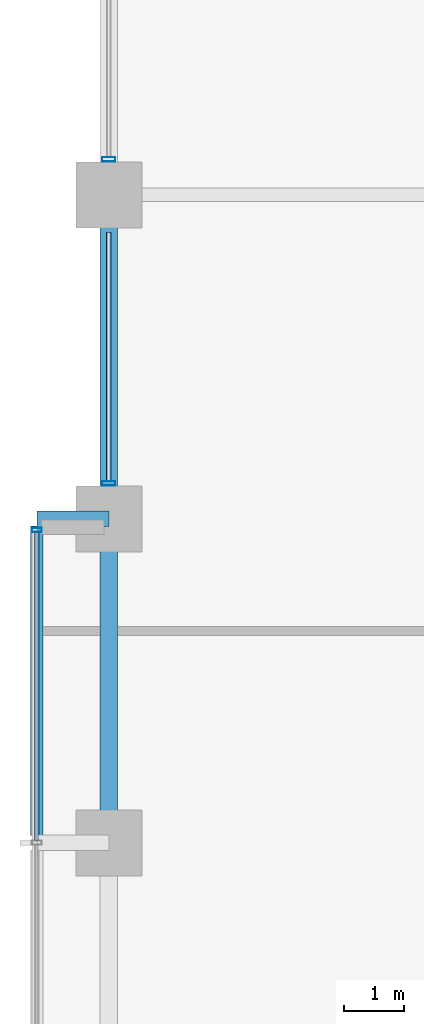
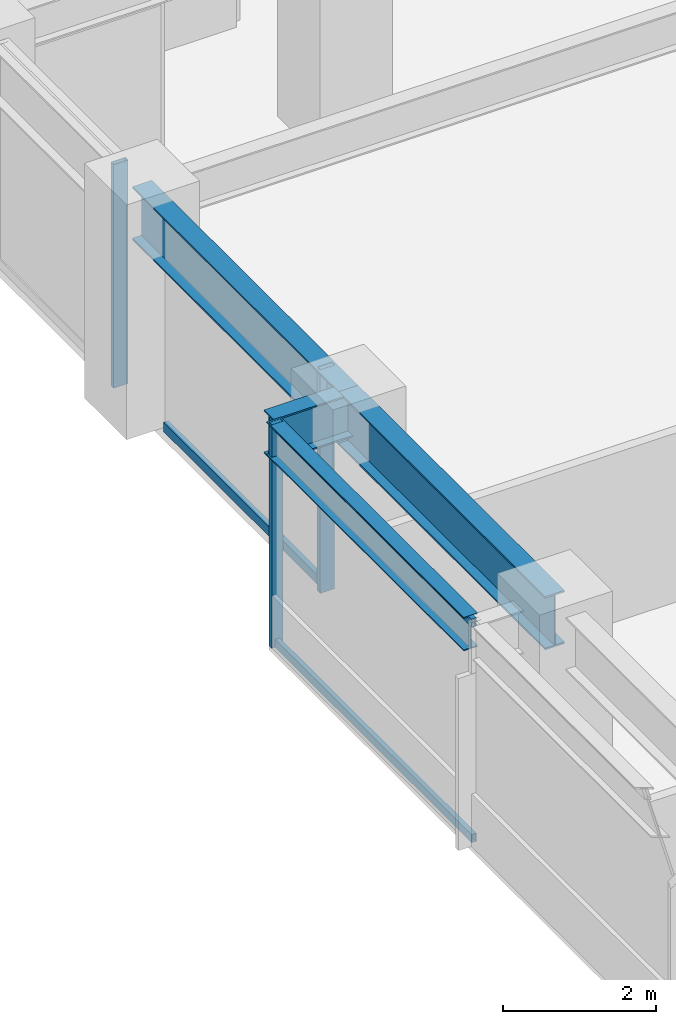
# One storey, part 10 of 25: 6 members, 4 beams, 2 elements without a shape of their own.
"""IFC4 building model written with IfcOpenShell, lengths in metres."""

from ifc_helpers import new_model, si_unit, direction, frame, origin, origin_2d, place, context, subcontext, project, spatial, hollow_rectangle, i_section, extrude, material, layer, layer_set, material_profile, profile_set, type_object, element, aggregate, save


model = new_model("IFC4")

# Units and contexts
model_context = context("Model", 3, precision=1e-05, world=origin(), true_north=direction((0.0, 1.0)))
body_context = subcontext(model_context, "Body", "Model", "MODEL_VIEW")
ifc_project = project(units=[si_unit("LENGTHUNIT", "METRE"), si_unit("AREAUNIT", "SQUARE_METRE"), si_unit("VOLUMEUNIT", "CUBIC_METRE"), si_unit("PLANEANGLEUNIT", "RADIAN"), si_unit("MASSUNIT", "GRAM", prefix="KILO")], contexts=[model_context])

# Site, building, storey
site_placement = place(None, origin())
site = spatial("IfcSite", under=ifc_project, at=site_placement, CompositionType="ELEMENT")
building_placement = place(site_placement, origin())
building = spatial("IfcBuilding", under=site, at=building_placement, Name="Surkhivell Harbour Commons", CompositionType="ELEMENT")
storey_placement = place(building_placement, frame((0.0, 0.0, 98.25)))
storey = spatial("IfcBuildingStorey", under=building, at=storey_placement, Name="L25", CompositionType="ELEMENT", Elevation=98.25)

# Beams
ifc_material_1 = material(Name="Steel S460", Category="steel")
ifc_material_profile_1 = material_profile(ifc_material_1, i_section(OverallWidth=0.256103515625, OverallDepth=0.693115234375, WebThickness=0.014404296875, FlangeThickness=0.023681640625, at=origin_2d()), Name="UB686x254x170")
ifc_profile_set_1 = profile_set([ifc_material_profile_1], Name="Steel S460")
beam_type_1 = type_object("IfcBeamType", Name="BM-CNT-686", PredefinedType="BEAM", material=ifc_profile_set_1)
beam_1_placement = place(storey_placement, frame((-32.39990234375, 10.800048828125, 3.223388671875), z_axis=(-1.0, 0.0, 0.0), x_axis=(0.0, -1.0, 0.0)))
element("IfcBeam", 1, at=beam_1_placement, inside=storey, type_object=beam_type_1, Name="L25 Box Cantilever Outrigger (-32.4,10.8)", PredefinedType="BEAM", context=body_context, shape_type="SweptSolid", body=[
    extrude(i_section(OverallWidth=0.256103515625, OverallDepth=0.693115234375, WebThickness=0.014404296875, FlangeThickness=0.023681640625, at=origin_2d()), origin(), (0.0, 0.0, 1.0), 1.2001953125),
])
ifc_material_2 = material(Name="Steel S355", Category="steel")
ifc_material_profile_2 = material_profile(ifc_material_2, i_section(OverallWidth=0.2099609375, OverallDepth=0.537109375, WebThickness=0.0107421875, FlangeThickness=0.017333984375, at=origin_2d()), Name="UB533x210x101")
ifc_profile_set_2 = profile_set([ifc_material_profile_2], Name="Steel S355")
beam_type_2 = type_object("IfcBeamType", Name="BM-GRD-533B", PredefinedType="BEAM", material=ifc_profile_set_2)
beam_2_placement = place(storey_placement, frame((-33.60009765625, 5.52197265625, 3.301513671875), z_axis=(0.0, 1.0, 0.0), x_axis=(-1.0, 0.0, 0.0)))
element("IfcBeam", 2, at=beam_2_placement, inside=storey, type_object=beam_type_2, Name="L25 Box Rim Spandrel (-33.6,5.4)", PredefinedType="BEAM", context=body_context, shape_type="SweptSolid", body=[
    extrude(i_section(OverallWidth=0.2099609375, OverallDepth=0.537109375, WebThickness=0.0107421875, FlangeThickness=0.017333984375, at=origin_2d()), origin(), (0.0, 0.0, 1.0), 5.156005859375),
])
ifc_material_profile_3 = material_profile(ifc_material_1, i_section(OverallWidth=0.2939453125, OverallDepth=0.85107421875, WebThickness=0.01611328125, FlangeThickness=0.02685546875, at=origin_2d()), Name="UB838x292x226")
ifc_profile_set_3 = profile_set([ifc_material_profile_3], Name="Steel S460")
beam_type_3 = type_object("IfcBeamType", Name="BM-SPN-838", PredefinedType="SPANDREL", material=ifc_profile_set_3)
beam_3_placement = place(storey_placement, frame((-32.39990234375, 5.39990234375, 3.14453125), z_axis=(0.0, 1.0, 0.0), x_axis=(-1.0, 0.0, 0.0)))
element("IfcBeam", 3, at=beam_3_placement, inside=storey, type_object=beam_type_3, Name="L25 Tube Spandrel (-32.4,5.4)", PredefinedType="SPANDREL", context=body_context, shape_type="SweptSolid", body=[
    extrude(i_section(OverallWidth=0.2939453125, OverallDepth=0.85107421875, WebThickness=0.01611328125, FlangeThickness=0.02685546875, at=origin_2d()), origin(), (0.0, 0.0, 1.0), 5.400146484375),
])
beam_4_placement = place(storey_placement, frame((-32.39990234375, 10.800048828125, 3.14453125), z_axis=(0.0, 1.0, 0.0), x_axis=(-1.0, 0.0, 0.0)))
element("IfcBeam", 4, at=beam_4_placement, inside=storey, type_object=beam_type_3, Name="L25 Tube Spandrel (-32.4,10.8)", PredefinedType="SPANDREL", context=body_context, shape_type="SweptSolid", body=[
    extrude(i_section(OverallWidth=0.2939453125, OverallDepth=0.85107421875, WebThickness=0.01611328125, FlangeThickness=0.02685546875, at=origin_2d()), origin(), (0.0, 0.0, 1.0), 5.39990234375),
])

# Curtain wall, member
ifc_material_3 = material(Name="Anodised pale-metal aluminium and insulated glazing", Category="aluminium")
ifc_layer_1 = layer(ifc_material_3, 0.1650390625)
ifc_layer_set_1 = layer_set([ifc_layer_1], Name="Anodised pale-metal aluminium and insulated glazing")
curtain_wall_type_1 = type_object("IfcCurtainWallType", Name="CW-SYS-BOX", PredefinedType="NOTDEFINED", material=ifc_layer_set_1)
curtain_wall_1_placement = place(storey_placement, origin())
curtain_wall_1 = element("IfcCurtainWall", 5, at=curtain_wall_1_placement, inside=storey, type_object=curtain_wall_type_1, Name="L25 Curtain Wall CW-L25-BOX02", PredefinedType="NOTDEFINED")
ifc_material_4 = material(Name="Champagne anodised aluminium alloy 6063-T6", Category="aluminium")
ifc_material_profile_4 = material_profile(ifc_material_4, hollow_rectangle(XDim=0.070068359375, YDim=0.1650390625, WallThickness=0.00341796875, at=origin_2d()), Name="ALU-MULL-70x165")
ifc_profile_set_4 = profile_set([ifc_material_profile_4], Name="Champagne anodised aluminium alloy 6063-T6")
member_type_1 = type_object("IfcMemberType", Name="CWM-165", PredefinedType="MULLION", material=ifc_profile_set_4)
member_1_placement = place(storey_placement, frame((-33.60009765625, 10.614990234375, 0.0), z_axis=(0.0, 0.0, 1.0), x_axis=(0.0, 1.0, 0.0)))
member_1 = element("IfcMember", 6, at=member_1_placement, type_object=member_type_1, Name="CW-BOX mullion 3", PredefinedType="MULLION", context=body_context, shape_type="SweptSolid", body=[
    extrude(hollow_rectangle(XDim=0.070068359375, YDim=0.1650390625, WallThickness=0.00341796875, at=origin_2d()), origin(), (0.0, 0.0, 1.0), 3.570068359375),
])

# Curtain wall, members
ifc_layer_2 = layer(ifc_material_3, 0.205078125)
ifc_layer_set_2 = layer_set([ifc_layer_2], Name="Anodised pale-metal aluminium and insulated glazing")
curtain_wall_type_2 = type_object("IfcCurtainWallType", Name="CW-SYS-Z2", PredefinedType="NOTDEFINED", material=ifc_layer_set_2)
curtain_wall_2_placement = place(storey_placement, origin())
curtain_wall_2 = element("IfcCurtainWall", 7, at=curtain_wall_2_placement, inside=storey, type_object=curtain_wall_type_2, Name="L25 Curtain Wall CW-L25-E12R2", PredefinedType="NOTDEFINED")
ifc_material_5 = material(Name="Anodised pale-metal aluminium alloy 6063-T6", Category="aluminium")
ifc_material_profile_5 = material_profile(ifc_material_5, hollow_rectangle(XDim=0.074951171875, YDim=0.219970703125, WallThickness=0.00390625, at=origin_2d()), Name="ALU-MULL-75x220")
ifc_profile_set_5 = profile_set([ifc_material_profile_5], Name="Anodised pale-metal aluminium alloy 6063-T6")
member_type_2 = type_object("IfcMemberType", Name="CWM-220", PredefinedType="MULLION", material=ifc_profile_set_5)
member_2_placement = place(storey_placement, frame((-32.39990234375, 11.389404296875, 0.0), z_axis=(0.0, 0.0, 1.0), x_axis=(0.0, 1.0, 0.0)))
member_2 = element("IfcMember", 8, at=member_2_placement, type_object=member_type_2, Name="CW-Z2 mullion 1", PredefinedType="MULLION", context=body_context, shape_type="SweptSolid", body=[
    extrude(hollow_rectangle(XDim=0.074951171875, YDim=0.219970703125, WallThickness=0.00390625, at=origin_2d()), origin(), (0.0, 0.0, 1.0), 3.570068359375),
])
member_3_placement = place(storey_placement, frame((-32.39990234375, 16.78955078125, 0.0), z_axis=(0.0, 0.0, 1.0), x_axis=(0.0, 1.0, 0.0)))
member_3 = element("IfcMember", 9, at=member_3_placement, type_object=member_type_2, Name="CW-Z2 mullion 2", PredefinedType="MULLION", context=body_context, shape_type="SweptSolid", body=[
    extrude(hollow_rectangle(XDim=0.074951171875, YDim=0.219970703125, WallThickness=0.00390625, at=origin_2d()), origin(), (0.0, 0.0, 1.0), 3.570068359375),
])

# Member
ifc_material_profile_6 = material_profile(ifc_material_4, hollow_rectangle(XDim=0.070068359375, YDim=0.1298828125, WallThickness=0.00341796875, at=origin_2d()), Name="ALU-TRAN-70x130")
ifc_profile_set_6 = profile_set([ifc_material_profile_6], Name="Champagne anodised aluminium alloy 6063-T6")
member_type_3 = type_object("IfcMemberType", Name="CWT-130", PredefinedType="USERDEFINED", material=ifc_profile_set_6)
member_4_placement = place(storey_placement, frame((-33.60009765625, 5.43505859375, 0.06494140625), z_axis=(0.0, 1.0, 0.0), x_axis=(-1.0, 0.0, 0.0)))
member_4 = element("IfcMember", 10, at=member_4_placement, type_object=member_type_3, Name="CW-BOX transom 2.1", ObjectType="TRANSOM", PredefinedType="USERDEFINED", context=body_context, shape_type="SweptSolid", body=[
    extrude(hollow_rectangle(XDim=0.070068359375, YDim=0.1298828125, WallThickness=0.00341796875, at=origin_2d()), origin(), (0.0, 0.0, 1.0), 5.14501953125),
])

member_5_placement = place(storey_placement, frame((-33.60009765625, 5.43505859375, 3.5048828125), z_axis=(0.0, 1.0, 0.0), x_axis=(-1.0, 0.0, 0.0)))
member_5 = element("IfcMember", 11, at=member_5_placement, type_object=member_type_3, Name="CW-BOX transom 2.2", ObjectType="TRANSOM", PredefinedType="USERDEFINED", context=body_context, shape_type="SweptSolid", body=[
    extrude(hollow_rectangle(XDim=0.070068359375, YDim=0.1298828125, WallThickness=0.00341796875, at=origin_2d()), origin(), (0.0, 0.0, 1.0), 5.14501953125),
])

aggregate(curtain_wall_1, [member_1, member_4, member_5])

ifc_material_profile_7 = material_profile(ifc_material_5, hollow_rectangle(XDim=0.074951171875, YDim=0.14990234375, WallThickness=0.00341796875, at=origin_2d()), Name="ALU-TRAN-75x150")
ifc_profile_set_7 = profile_set([ifc_material_profile_7], Name="Anodised pale-metal aluminium alloy 6063-T6")
member_type_4 = type_object("IfcMemberType", Name="CWT-150", PredefinedType="USERDEFINED", material=ifc_profile_set_7)
member_6_placement = place(storey_placement, frame((-32.39990234375, 11.427001953125, 0.074951171875), z_axis=(0.0, 1.0, 0.0), x_axis=(-1.0, 0.0, 0.0)))
member_6 = element("IfcMember", 12, at=member_6_placement, type_object=member_type_4, Name="CW-Z2 transom 1.1", ObjectType="TRANSOM", PredefinedType="USERDEFINED", context=body_context, shape_type="SweptSolid", body=[
    extrude(hollow_rectangle(XDim=0.074951171875, YDim=0.14990234375, WallThickness=0.00341796875, at=origin_2d()), origin(), (0.0, 0.0, 1.0), 4.14599609375),
])

aggregate(curtain_wall_2, [member_2, member_6, member_3])

save(model, "model.ifc")
